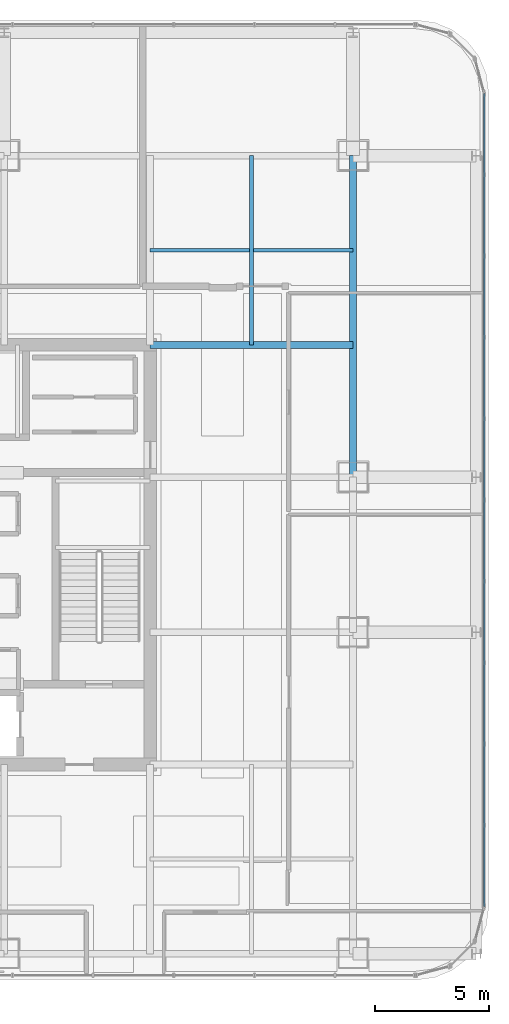
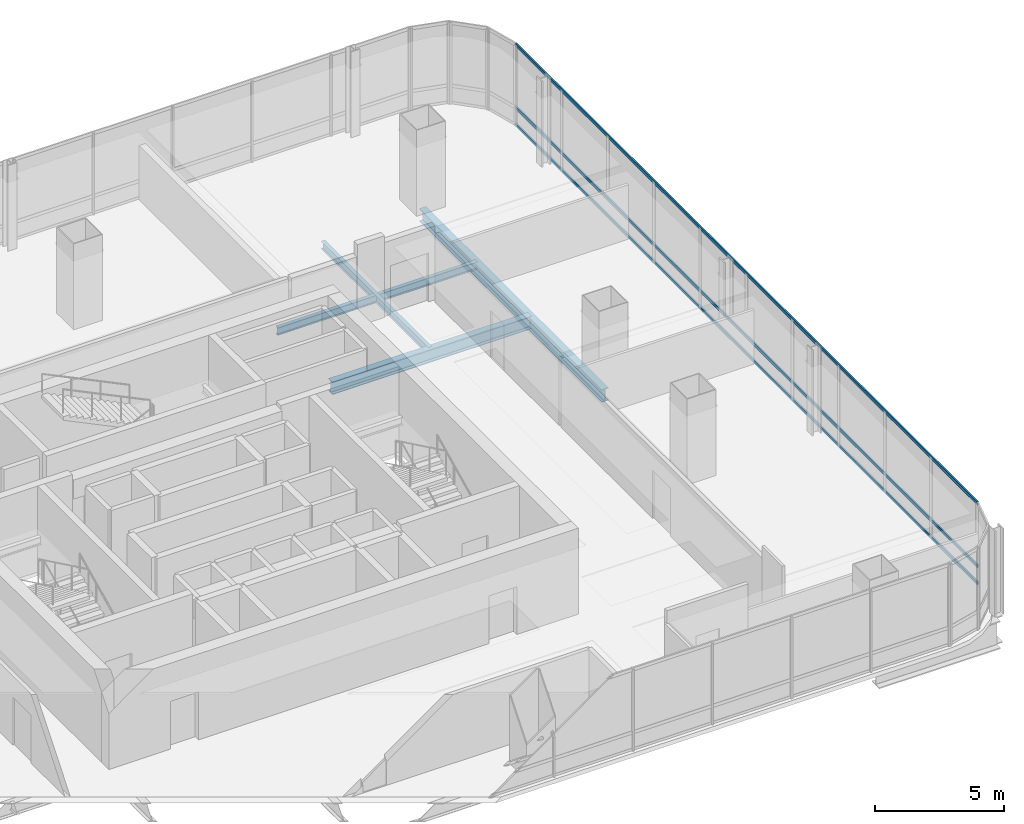
# One storey, part 20 of 40: 4 beams, 3 members, 1 element without a shape of its own.
"""IFC4 building model written with IfcOpenShell, lengths in metres."""

from ifc_helpers import new_model, si_unit, direction, frame, origin, origin_2d, place, context, subcontext, project, spatial, hollow_rectangle, i_section, extrude, material, material_profile, profile_set, type_object, element, aggregate, save


model = new_model("IFC4")

# Units and contexts
model_context = context("Model", 3, precision=1e-05, world=origin(), true_north=direction((0.0, 1.0)))
body_context = subcontext(model_context, "Body", "Model", "MODEL_VIEW")
ifc_project = project(units=[si_unit("LENGTHUNIT", "METRE"), si_unit("AREAUNIT", "SQUARE_METRE"), si_unit("VOLUMEUNIT", "CUBIC_METRE"), si_unit("PLANEANGLEUNIT", "RADIAN"), si_unit("MASSUNIT", "GRAM", prefix="KILO")], contexts=[model_context])

# Site, building, storey
site_placement = place(None, origin())
site = spatial("IfcSite", under=ifc_project, at=site_placement, CompositionType="ELEMENT")
building_placement = place(site_placement, origin())
building = spatial("IfcBuilding", under=site, at=building_placement, Name="Punatoya Terracotta Tower", CompositionType="ELEMENT")
storey_placement = place(building_placement, frame((0.0, 0.0, 271.64990234375)))
storey = spatial("IfcBuildingStorey", under=building, at=storey_placement, Name="L64", CompositionType="ELEMENT", Elevation=271.64990234375)

# Beams
ifc_material_1 = material(Name="Steel S355", Category="steel")
ifc_material_profile_1 = material_profile(ifc_material_1, i_section(OverallWidth=0.300048828125, OverallDepth=0.60009765625, WebThickness=0.015380859375, FlangeThickness=0.030029296875, FilletRadius=0.01806640625, at=origin_2d()))
ifc_profile_set_1 = profile_set([ifc_material_profile_1], Name="Steel S355")
beam_type_1 = type_object("IfcBeamType", Name="BM-PRI-600", PredefinedType="BEAM", material=ifc_profile_set_1)
beam_1_placement = place(storey_placement, frame((19.10009765625, 3.39990234375, -0.5), z_axis=(0.0, 1.0, 0.0), x_axis=(-1.0, 0.0, 0.0)))
element("IfcBeam", 1, at=beam_1_placement, inside=storey, type_object=beam_type_1, Name="BM-L64-RG-E3", PredefinedType="BEAM", context=body_context, shape_type="SweptSolid", body=[
    extrude(i_section(OverallWidth=0.300048828125, OverallDepth=0.60009765625, WebThickness=0.015380859375, FlangeThickness=0.030029296875, FilletRadius=0.01806640625, at=origin_2d()), origin(), (0.0, 0.0, 1.0), 14.10009765625),
])
beam_2_placement = place(storey_placement, frame((10.199951171875, 9.199951171875, -0.5), z_axis=(1.0, 0.0, 0.0), x_axis=(0.0, 1.0, 0.0)))
element("IfcBeam", 2, at=beam_2_placement, inside=storey, type_object=beam_type_1, Name="BM-L64-PR-EN", PredefinedType="BEAM", context=body_context, shape_type="SweptSolid", body=[
    extrude(i_section(OverallWidth=0.300048828125, OverallDepth=0.60009765625, WebThickness=0.015380859375, FlangeThickness=0.030029296875, FilletRadius=0.01806640625, at=origin_2d()), origin(), (0.0, 0.0, 1.0), 8.900146484375),
])
ifc_material_profile_2 = material_profile(ifc_material_1, i_section(OverallWidth=0.169921875, OverallDepth=0.360107421875, WebThickness=0.008056640625, FlangeThickness=0.0126953125, FilletRadius=0.01806640625, at=origin_2d()))
ifc_profile_set_2 = profile_set([ifc_material_profile_2], Name="Steel S355")
beam_type_2 = type_object("IfcBeamType", Name="BM-SEC-360", PredefinedType="JOIST", material=ifc_profile_set_2)
beam_3_placement = place(storey_placement, frame((10.199951171875, 13.35009765625, -0.3798828125), z_axis=(1.0, 0.0, 0.0), x_axis=(0.0, 1.0, 0.0)))
element("IfcBeam", 3, at=beam_3_placement, inside=storey, type_object=beam_type_2, Name="BM-L64-SJN-2", PredefinedType="JOIST", context=body_context, shape_type="SweptSolid", body=[
    extrude(i_section(OverallWidth=0.169921875, OverallDepth=0.360107421875, WebThickness=0.008056640625, FlangeThickness=0.0126953125, FilletRadius=0.01806640625, at=origin_2d()), origin(), (0.0, 0.0, 1.0), 8.900146484375),
])
beam_4_placement = place(storey_placement, frame((14.64990234375, 9.199951171875, -0.3798828125), z_axis=(0.0, 1.0, 0.0), x_axis=(-1.0, 0.0, 0.0)))
element("IfcBeam", 4, at=beam_4_placement, inside=storey, type_object=beam_type_2, Name="BM-L64-SJE-2", PredefinedType="JOIST", context=body_context, shape_type="SweptSolid", body=[
    extrude(i_section(OverallWidth=0.169921875, OverallDepth=0.360107421875, WebThickness=0.008056640625, FlangeThickness=0.0126953125, FilletRadius=0.01806640625, at=origin_2d()), origin(), (0.0, 0.0, 1.0), 8.300048828125),
])

# Curtain wall, members
ifc_material_2 = material(Name="Aluminium 6063-T6 + Double Low-E Glass", Category="aluminium")
curtain_wall_type = type_object("IfcCurtainWallType", Name="CW-M3", PredefinedType="NOTDEFINED", material=ifc_material_2)
curtain_wall_placement = place(storey_placement, origin())
curtain_wall = element("IfcCurtainWall", 5, at=curtain_wall_placement, inside=storey, type_object=curtain_wall_type, Name="L64 Curtain Wall CW-L64-E05-1", PredefinedType="NOTDEFINED")
ifc_material_3 = material(Name="Aluminium 6063-T6", Category="aluminium")
ifc_material_profile_3 = material_profile(ifc_material_3, hollow_rectangle(XDim=0.068115234375, YDim=0.14990234375, WallThickness=0.00390625, at=origin_2d()))
ifc_profile_set_3 = profile_set([ifc_material_profile_3], Name="Aluminium 6063-T6")
member_type = type_object("IfcMemberType", Name="CW-TRN-TYP", PredefinedType="USERDEFINED", material=ifc_profile_set_3)
member_1_placement = place(storey_placement, frame((24.85009765625, -15.43701171875, 0.0400390625), z_axis=(0.0, 1.0, 0.0), x_axis=(-1.0, 0.0, 0.0)))
member_1 = element("IfcMember", 6, at=member_1_placement, type_object=member_type, Name="CW-L64-E05-1 Transom 1", ObjectType="TRANSOM", PredefinedType="USERDEFINED", context=body_context, shape_type="SweptSolid", body=[
    extrude(hollow_rectangle(XDim=0.068115234375, YDim=0.14990234375, WallThickness=0.00390625, at=origin_2d()), origin(), (0.0, 0.0, 1.0), 35.673828125),
])
member_2_placement = place(storey_placement, frame((24.85009765625, -15.43701171875, 0.85009765625), z_axis=(0.0, 1.0, 0.0), x_axis=(-1.0, 0.0, 0.0)))
member_2 = element("IfcMember", 7, at=member_2_placement, type_object=member_type, Name="CW-L64-E05-1 Transom 2", ObjectType="TRANSOM", PredefinedType="USERDEFINED", context=body_context, shape_type="SweptSolid", body=[
    extrude(hollow_rectangle(XDim=0.068115234375, YDim=0.14990234375, WallThickness=0.00390625, at=origin_2d()), origin(), (0.0, 0.0, 1.0), 35.673828125),
])
member_3_placement = place(storey_placement, frame((24.85009765625, -15.43701171875, 3.81005859375), z_axis=(0.0, 1.0, 0.0), x_axis=(-1.0, 0.0, 0.0)))
member_3 = element("IfcMember", 8, at=member_3_placement, type_object=member_type, Name="CW-L64-E05-1 Transom 3", ObjectType="TRANSOM", PredefinedType="USERDEFINED", context=body_context, shape_type="SweptSolid", body=[
    extrude(hollow_rectangle(XDim=0.068115234375, YDim=0.14990234375, WallThickness=0.00390625, at=origin_2d()), origin(), (0.0, 0.0, 1.0), 35.673828125),
])
aggregate(curtain_wall, [member_1, member_2, member_3])

save(model, "model.ifc")
